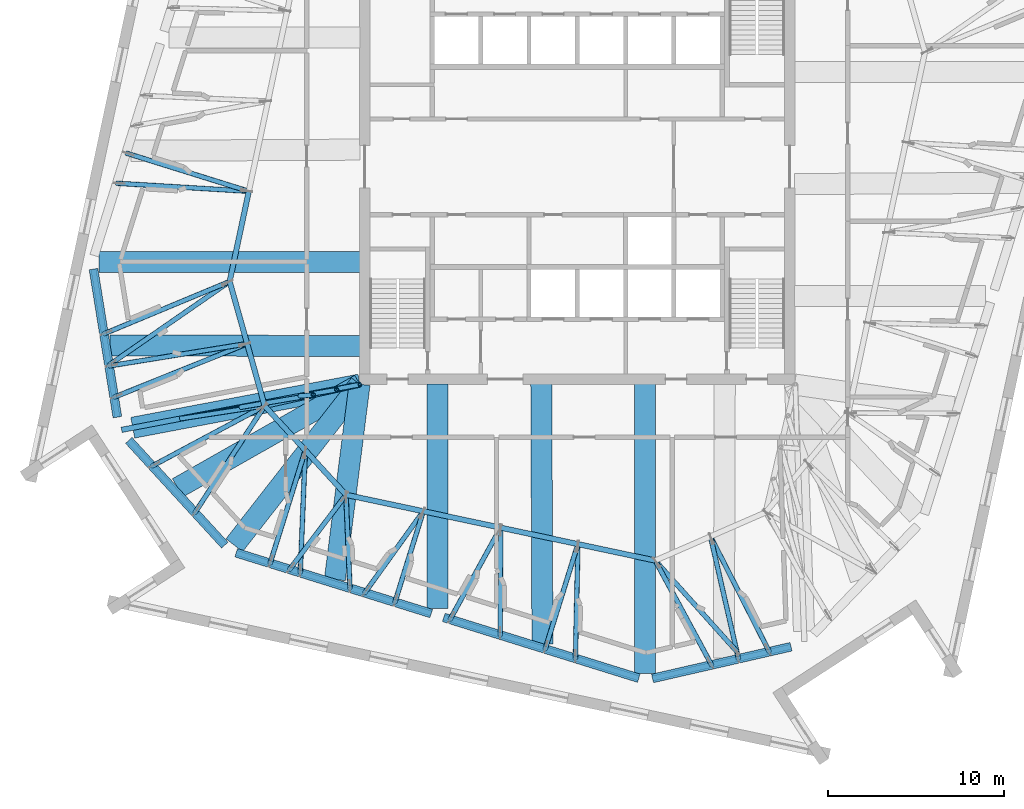
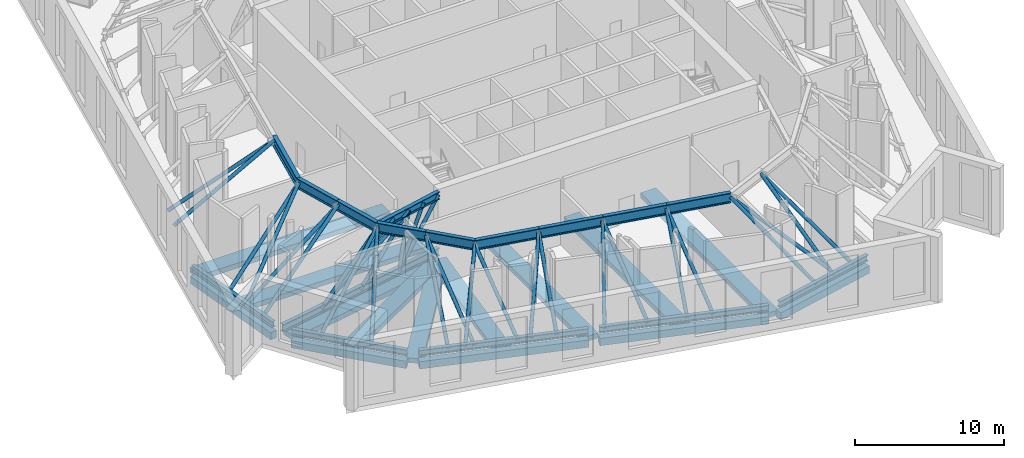
# One storey, part 1 of 19: 30 beams, 29 members.
"""IFC4 building model written with IfcOpenShell, lengths in metres."""

from ifc_helpers import new_model, si_unit, direction, frame, origin, origin_2d, place, context, subcontext, project, spatial, rectangle, hollow_circle, i_section, extrude, material, material_profile, profile_set, type_object, element, save


model = new_model("IFC4")

# Units and contexts
model_context = context("Model", 3, precision=1e-05, world=origin(), true_north=direction((0.0, 1.0)))
body_context = subcontext(model_context, "Body", "Model", "MODEL_VIEW")
ifc_project = project(units=[si_unit("LENGTHUNIT", "METRE"), si_unit("AREAUNIT", "SQUARE_METRE"), si_unit("VOLUMEUNIT", "CUBIC_METRE"), si_unit("PLANEANGLEUNIT", "RADIAN"), si_unit("MASSUNIT", "GRAM", prefix="KILO")], contexts=[model_context])

# Site, building, storey
site_placement = place(None, origin())
site = spatial("IfcSite", under=ifc_project, at=site_placement, CompositionType="ELEMENT")
building_placement = place(site_placement, origin())
building = spatial("IfcBuilding", under=site, at=building_placement, Name="Dilmun Exchange Tower", CompositionType="ELEMENT")
storey_placement = place(building_placement, frame((0.0, 0.0, 344.5)))
storey = spatial("IfcBuildingStorey", under=building, at=storey_placement, Name="L82", CompositionType="ELEMENT", Elevation=344.5)

# Beams
ifc_material_1 = material(Name="Concrete C40/50", Category="concrete")
ifc_material_profile_1 = material_profile(ifc_material_1, rectangle(XDim=1.199951171875, YDim=0.39990234375, at=origin_2d()), Name="1200 x 400")
ifc_profile_set_1 = profile_set([ifc_material_profile_1], Name="Concrete C40/50")
beam_type_1 = type_object("IfcBeamType", Name="RC band beam 1200 x 400 C40/50", PredefinedType="BEAM", material=ifc_profile_set_1)
beam_1_placement = place(storey_placement, frame((-27.216064453125, -5.406005859375, -0.64990234375), z_axis=(1.0, 0.0, 0.0), x_axis=(0.0, 1.0, 0.0)))
element("IfcBeam", 1, at=beam_1_placement, inside=storey, type_object=beam_type_1, Name="Band beam 4", PredefinedType="BEAM", context=body_context, shape_type="SweptSolid", body=[
    extrude(rectangle(XDim=1.199951171875, YDim=0.39990234375, at=origin_2d()), origin(), (0.0, 0.0, 1.0), 14.843017578125),
])
beam_2_placement = place(storey_placement, frame((-25.30712890625, -14.85205078125, -0.64990234375), z_axis=(0.982429348436, 0.18663487169, 0.0), x_axis=(-0.18663487169, 0.982429348436, 0.0)))
element("IfcBeam", 2, at=beam_2_placement, inside=storey, type_object=beam_type_1, Name="Band beam 5", PredefinedType="BEAM", context=body_context, shape_type="SweptSolid", body=[
    extrude(rectangle(XDim=1.199951171875, YDim=0.39990234375, at=origin_2d()), origin(), (0.0, 0.0, 1.0), 13.164794921875),
])
beam_3_placement = place(storey_placement, frame((-19.52685546875, -21.541259765625, -0.64990234375), z_axis=(0.614856714099, 0.788638840743, 0.0), x_axis=(-0.788638840743, 0.614856714099, 0.0)))
element("IfcBeam", 3, at=beam_3_placement, inside=storey, type_object=beam_type_1, Name="Band beam 6", PredefinedType="BEAM", context=body_context, shape_type="SweptSolid", body=[
    extrude(rectangle(XDim=1.199951171875, YDim=0.39990234375, at=origin_2d()), origin(), (0.0, 0.0, 1.0), 11.6181640625),
])
beam_4_placement = place(storey_placement, frame((-7.9580078125, -25.14697265625, -0.64990234375), z_axis=(0.0, 1.0, 0.0), x_axis=(-1.0, 0.0, 0.0)))
element("IfcBeam", 4, at=beam_4_placement, inside=storey, type_object=beam_type_1, Name="Band beam 7", PredefinedType="BEAM", context=body_context, shape_type="SweptSolid", body=[
    extrude(rectangle(XDim=1.199951171875, YDim=0.39990234375, at=origin_2d()), origin(), (0.0, 0.0, 1.0), 12.77392578125),
])
beam_5_placement = place(storey_placement, frame((3.85595703125, -28.827880859375, -0.64990234375), z_axis=(0.0, 1.0, 0.0), x_axis=(-1.0, 0.0, 0.0)))
element("IfcBeam", 5, at=beam_5_placement, inside=storey, type_object=beam_type_1, Name="Band beam 8", PredefinedType="BEAM", context=body_context, shape_type="SweptSolid", body=[
    extrude(rectangle(XDim=1.199951171875, YDim=0.39990234375, at=origin_2d()), origin(), (0.0, 0.0, 1.0), 16.454833984375),
])
beam_6_placement = place(storey_placement, frame((-26.614013671875, -10.1650390625, -0.550048828125), z_axis=(0.999996910379, -0.002485806038, 0.0), x_axis=(0.002485806038, 0.999996910379, 0.0)))
element("IfcBeam", 6, at=beam_6_placement, inside=storey, type_object=beam_type_1, Name="Band beam 20", PredefinedType="BEAM", context=body_context, shape_type="SweptSolid", body=[
    extrude(rectangle(XDim=1.199951171875, YDim=0.39990234375, at=origin_2d()), origin(), (0.0, 0.0, 1.0), 14.240966796875),
])
beam_7_placement = place(storey_placement, frame((-22.752197265625, -18.275390625, -0.550048828125), z_axis=(0.869690188955, 0.493597989496, 0.0), x_axis=(-0.493597989496, 0.869690188955, 0.0)))
element("IfcBeam", 7, at=beam_7_placement, inside=storey, type_object=beam_type_1, Name="Band beam 21", PredefinedType="BEAM", context=body_context, shape_type="SweptSolid", body=[
    extrude(rectangle(XDim=1.199951171875, YDim=0.39990234375, at=origin_2d()), origin(), (0.0, 0.0, 1.0), 11.93017578125),
])
beam_8_placement = place(storey_placement, frame((-13.79931640625, -23.485107421875, -0.550048828125), z_axis=(0.125252659456, 0.992124876867, 0.0), x_axis=(-0.992124876867, 0.125252659456, 0.0)))
element("IfcBeam", 8, at=beam_8_placement, inside=storey, type_object=beam_type_1, Name="Band beam 22", PredefinedType="BEAM", context=body_context, shape_type="SweptSolid", body=[
    extrude(rectangle(XDim=1.199951171875, YDim=0.39990234375, at=origin_2d()), origin(), (0.0, 0.0, 1.0), 11.199951171875),
])
beam_9_placement = place(storey_placement, frame((-1.984619140625, -27.16650390625, -0.550048828125), z_axis=(-0.004488848064, 0.999989925071, 0.0), x_axis=(-0.999989925071, -0.004488848064, 0.0)))
element("IfcBeam", 9, at=beam_9_placement, inside=storey, type_object=beam_type_1, Name="Band beam 23", PredefinedType="BEAM", context=body_context, shape_type="SweptSolid", body=[
    extrude(rectangle(XDim=1.199951171875, YDim=0.39990234375, at=origin_2d()), origin(), (0.0, 0.0, 1.0), 14.793701171875),
])
ifc_material_profile_2 = material_profile(ifc_material_1, rectangle(XDim=0.5, YDim=0.60009765625, at=origin_2d()), Name="500 x 600")
ifc_profile_set_2 = profile_set([ifc_material_profile_2], Name="Concrete C40/50")
beam_type_2 = type_object("IfcBeamType", Name="RC ring beam 500 x 600 C40/50", PredefinedType="SPANDREL", material=ifc_profile_set_2)
beam_10_placement = place(storey_placement, frame((-27.541015625, -5.820556640625, -0.64990234375), z_axis=(0.159356501233, -0.987221102649, 0.0), x_axis=(0.987221102649, 0.159356501233, 0.0)))
element("IfcBeam", 10, at=beam_10_placement, inside=storey, type_object=beam_type_2, Name="Ring beam 4", PredefinedType="SPANDREL", context=body_context, shape_type="SweptSolid", body=[
    extrude(rectangle(XDim=0.5, YDim=0.60009765625, at=origin_2d()), origin(), (0.0, 0.0, 1.0), 8.5380859375),
])
beam_11_placement = place(storey_placement, frame((-25.531005859375, -15.572265625, -0.64990234375), z_axis=(0.675535971399, -0.737327031476, 0.0), x_axis=(0.737327031476, 0.675535971399, 0.0)))
element("IfcBeam", 11, at=beam_11_placement, inside=storey, type_object=beam_type_2, Name="Ring beam 5", PredefinedType="SPANDREL", context=body_context, shape_type="SweptSolid", body=[
    extrude(rectangle(XDim=0.5, YDim=0.60009765625, at=origin_2d()), origin(), (0.0, 0.0, 1.0), 8.087890625),
])
beam_12_placement = place(storey_placement, frame((-19.4169921875, -21.968017578125, -0.64990234375), z_axis=(0.95471613385, -0.297518241065, 0.0), x_axis=(0.297518241065, 0.95471613385, 0.0)))
element("IfcBeam", 12, at=beam_12_placement, inside=storey, type_object=beam_type_2, Name="Ring beam 6", PredefinedType="SPANDREL", context=body_context, shape_type="SweptSolid", body=[
    extrude(rectangle(XDim=0.5, YDim=0.60009765625, at=origin_2d()), origin(), (0.0, 0.0, 1.0), 11.62939453125),
])
beam_13_placement = place(storey_placement, frame((-7.601806640625, -25.64990234375, -0.64990234375), z_axis=(0.954732553331, -0.297465546931, 0.0), x_axis=(0.297465546931, 0.954732553331, 0.0)))
element("IfcBeam", 13, at=beam_13_placement, inside=storey, type_object=beam_type_2, Name="Ring beam 7", PredefinedType="SPANDREL", context=body_context, shape_type="SweptSolid", body=[
    extrude(rectangle(XDim=0.5, YDim=0.60009765625, at=origin_2d()), origin(), (0.0, 0.0, 1.0), 11.628173828125),
])
beam_14_placement = place(storey_placement, frame((4.28076171875, -29.122802734375, -0.64990234375), z_axis=(0.974807153913, 0.223049350324, 0.0), x_axis=(-0.223049350324, 0.974807153913, 0.0)))
element("IfcBeam", 14, at=beam_14_placement, inside=storey, type_object=beam_type_2, Name="Ring beam 8", PredefinedType="SPANDREL", context=body_context, shape_type="SweptSolid", body=[
    extrude(rectangle(XDim=0.5, YDim=0.60009765625, at=origin_2d()), origin(), (0.0, 0.0, 1.0), 8.0888671875),
])
ifc_material_2 = material(Name="Steel S355", Category="steel")
ifc_material_profile_3 = material_profile(ifc_material_2, i_section(OverallWidth=0.300048828125, OverallDepth=0.5, WebThickness=0.014404296875, FlangeThickness=0.028076171875, FilletRadius=0.027099609375, at=origin_2d()), Name="HEB 500")
ifc_profile_set_3 = profile_set([ifc_material_profile_3], Name="Steel S355")
beam_type_3 = type_object("IfcBeamType", Name="belt bottom chord HEB 500", PredefinedType="BEAM", material=ifc_profile_set_3)
beam_15_placement = place(storey_placement, frame((-27.541015625, -5.820556640625, 0.25), z_axis=(0.159356501233, -0.987221102649, 0.0), x_axis=(0.987221102649, 0.159356501233, 0.0)))
element("IfcBeam", 15, at=beam_15_placement, inside=storey, type_object=beam_type_3, Name="Belt bottom chord 4", PredefinedType="BEAM", context=body_context, shape_type="SweptSolid", body=[
    extrude(i_section(OverallWidth=0.300048828125, OverallDepth=0.5, WebThickness=0.014404296875, FlangeThickness=0.028076171875, FilletRadius=0.027099609375, at=origin_2d()), origin(), (0.0, 0.0, 1.0), 8.5380859375),
])
beam_16_placement = place(storey_placement, frame((-25.531005859375, -15.572265625, 0.25), z_axis=(0.675535971399, -0.737327031476, 0.0), x_axis=(0.737327031476, 0.675535971399, 0.0)))
element("IfcBeam", 16, at=beam_16_placement, inside=storey, type_object=beam_type_3, Name="Belt bottom chord 5", PredefinedType="BEAM", context=body_context, shape_type="SweptSolid", body=[
    extrude(i_section(OverallWidth=0.300048828125, OverallDepth=0.5, WebThickness=0.014404296875, FlangeThickness=0.028076171875, FilletRadius=0.027099609375, at=origin_2d()), origin(), (0.0, 0.0, 1.0), 8.087890625),
])
beam_17_placement = place(storey_placement, frame((-19.4169921875, -21.968017578125, 0.25), z_axis=(0.95471613385, -0.297518241065, 0.0), x_axis=(0.297518241065, 0.95471613385, 0.0)))
element("IfcBeam", 17, at=beam_17_placement, inside=storey, type_object=beam_type_3, Name="Belt bottom chord 6", PredefinedType="BEAM", context=body_context, shape_type="SweptSolid", body=[
    extrude(i_section(OverallWidth=0.300048828125, OverallDepth=0.5, WebThickness=0.014404296875, FlangeThickness=0.028076171875, FilletRadius=0.027099609375, at=origin_2d()), origin(), (0.0, 0.0, 1.0), 11.62939453125),
])
beam_18_placement = place(storey_placement, frame((-7.601806640625, -25.64990234375, 0.25), z_axis=(0.954732553331, -0.297465546931, 0.0), x_axis=(0.297465546931, 0.954732553331, 0.0)))
element("IfcBeam", 18, at=beam_18_placement, inside=storey, type_object=beam_type_3, Name="Belt bottom chord 7", PredefinedType="BEAM", context=body_context, shape_type="SweptSolid", body=[
    extrude(i_section(OverallWidth=0.300048828125, OverallDepth=0.5, WebThickness=0.014404296875, FlangeThickness=0.028076171875, FilletRadius=0.027099609375, at=origin_2d()), origin(), (0.0, 0.0, 1.0), 11.628173828125),
])
beam_19_placement = place(storey_placement, frame((4.28076171875, -29.122802734375, 0.25), z_axis=(0.974807153913, 0.223049350324, 0.0), x_axis=(-0.223049350324, 0.974807153913, 0.0)))
element("IfcBeam", 19, at=beam_19_placement, inside=storey, type_object=beam_type_3, Name="Belt bottom chord 8", PredefinedType="BEAM", context=body_context, shape_type="SweptSolid", body=[
    extrude(i_section(OverallWidth=0.300048828125, OverallDepth=0.5, WebThickness=0.014404296875, FlangeThickness=0.028076171875, FilletRadius=0.027099609375, at=origin_2d()), origin(), (0.0, 0.0, 1.0), 8.0888671875),
])
ifc_material_profile_4 = material_profile(ifc_material_2, i_section(OverallWidth=0.304931640625, OverallDepth=0.6201171875, WebThickness=0.02099609375, FlangeThickness=0.0400390625, FilletRadius=0.027099609375, at=origin_2d()), Name="HEM 600")
ifc_profile_set_4 = profile_set([ifc_material_profile_4], Name="Steel S355")
beam_type_4 = type_object("IfcBeamType", Name="outrigger chord HEM 600", PredefinedType="BEAM", material=ifc_profile_set_4)
beam_20_placement = place(storey_placement, frame((-12.37353515625, -12.39501953125, 0.31005859375), z_axis=(-0.982432070287, -0.186620543541, 0.0), x_axis=(0.186620543541, -0.982432070287, 0.0)))
element("IfcBeam", 20, at=beam_20_placement, inside=storey, type_object=beam_type_4, Name="Outrigger bottom chord 2", PredefinedType="BEAM", context=body_context, shape_type="SweptSolid", body=[
    extrude(i_section(OverallWidth=0.304931640625, OverallDepth=0.6201171875, WebThickness=0.02099609375, FlangeThickness=0.0400390625, FilletRadius=0.027099609375, at=origin_2d()), origin(), (0.0, 0.0, 1.0), 13.808349609375),
])
beam_21_placement = place(storey_placement, frame((-12.373779296875, -12.39404296875, 4.889892578125), z_axis=(-0.97589758172, -0.21822903105, 0.0), x_axis=(0.21822903105, -0.97589758172, 0.0)))
element("IfcBeam", 21, at=beam_21_placement, inside=storey, type_object=beam_type_4, Name="Outrigger top chord 2", PredefinedType="BEAM", context=body_context, shape_type="SweptSolid", body=[
    extrude(i_section(OverallWidth=0.304931640625, OverallDepth=0.6201171875, WebThickness=0.02099609375, FlangeThickness=0.0400390625, FilletRadius=0.027099609375, at=origin_2d()), origin(), (0.0, 0.0, 1.0), 5.43359375),
])

# Members
ifc_material_profile_5 = material_profile(ifc_material_2, hollow_circle(Radius=0.136474609375, WallThickness=0.01611328125, at=origin_2d()), Name="CHS 273x16")
ifc_profile_set_5 = profile_set([ifc_material_profile_5], Name="Steel S355")
member_type_1 = type_object("IfcMemberType", Name="outrigger post CHS 273x16", PredefinedType="POST", material=ifc_profile_set_5)
member_1_placement = place(storey_placement, frame((-13.699462890625, -12.6904296875, 4.889892578125), z_axis=(-0.410122483076, -0.069274826042, -0.909395704494), x_axis=(0.166553237626, -0.98603246348, 0.0)))
element("IfcMember", 22, at=member_1_placement, inside=storey, type_object=member_type_1, Name="Outrigger post 2.1", PredefinedType="POST", context=body_context, shape_type="SweptSolid", body=[
    extrude(hollow_circle(Radius=0.136474609375, WallThickness=0.01611328125, at=origin_2d()), origin(), (0.0, 0.0, 1.0), 5.0361328125),
])
member_2_placement = place(storey_placement, frame((-15.025146484375, -12.987060546875, 4.889892578125), z_axis=(-0.665562451159, -0.112218525687, -0.737857456491), x_axis=(0.166260364541, -0.98608188868, 0.0)))
element("IfcMember", 23, at=member_2_placement, inside=storey, type_object=member_type_1, Name="Outrigger post 2.2", PredefinedType="POST", context=body_context, shape_type="SweptSolid", body=[
    extrude(hollow_circle(Radius=0.136474609375, WallThickness=0.01611328125, at=origin_2d()), origin(), (0.0, 0.0, 1.0), 6.20703125),
])
member_3_placement = place(storey_placement, frame((-16.350830078125, -13.283447265625, 4.889892578125), z_axis=(-0.796913340071, -0.134315470366, -0.58897239565), x_axis=(0.166200515367, -0.986091977805, 0.0)))
element("IfcMember", 24, at=member_3_placement, inside=storey, type_object=member_type_1, Name="Outrigger post 2.3", PredefinedType="POST", context=body_context, shape_type="SweptSolid", body=[
    extrude(hollow_circle(Radius=0.136474609375, WallThickness=0.01611328125, at=origin_2d()), origin(), (0.0, 0.0, 1.0), 7.77587890625),
])

# Beams
ifc_material_profile_6 = material_profile(ifc_material_2, i_section(OverallWidth=0.302978515625, OverallDepth=0.81396484375, WebThickness=0.02099609375, FlangeThickness=0.0400390625, FilletRadius=0.030029296875, at=origin_2d()), Name="HEM 800")
ifc_profile_set_6 = profile_set([ifc_material_profile_6], Name="Steel S355")
beam_type_5 = type_object("IfcBeamType", Name="transfer chord HEM 800", PredefinedType="BEAM", material=ifc_profile_set_6)
beam_22_placement = place(storey_placement, frame((-18.698486328125, -1.39306640625, 4.89306640625), z_axis=(-0.207924943103, -0.97814478378, 0.0), x_axis=(0.97814478378, -0.207924943103, 0.0)))
element("IfcBeam", 25, at=beam_22_placement, inside=storey, type_object=beam_type_5, Name="Transfer chord 6", PredefinedType="BEAM", context=body_context, shape_type="SweptSolid", body=[
    extrude(i_section(OverallWidth=0.302978515625, OverallDepth=0.81396484375, WebThickness=0.02099609375, FlangeThickness=0.0400390625, FilletRadius=0.030029296875, at=origin_2d()), origin(), (0.0, 0.0, 1.0), 5.249755859375),
])
beam_23_placement = place(storey_placement, frame((-19.7900390625, -6.528076171875, 4.89306640625), z_axis=(0.27091286531, -0.962603874608, 0.0), x_axis=(0.962603874608, 0.27091286531, 0.0)))
element("IfcBeam", 26, at=beam_23_placement, inside=storey, type_object=beam_type_5, Name="Transfer chord 7", PredefinedType="BEAM", context=body_context, shape_type="SweptSolid", body=[
    extrude(i_section(OverallWidth=0.302978515625, OverallDepth=0.81396484375, WebThickness=0.02099609375, FlangeThickness=0.0400390625, FilletRadius=0.030029296875, at=origin_2d()), origin(), (0.0, 0.0, 1.0), 3.6767578125),
])
beam_24_placement = place(storey_placement, frame((-18.7939453125, -10.0673828125, 4.89306640625), z_axis=(0.270834025208, -0.962626059688, 0.0), x_axis=(0.962626059688, 0.270834025208, 0.0)))
element("IfcBeam", 27, at=beam_24_placement, inside=storey, type_object=beam_type_5, Name="Transfer chord 8", PredefinedType="BEAM", context=body_context, shape_type="SweptSolid", body=[
    extrude(i_section(OverallWidth=0.302978515625, OverallDepth=0.81396484375, WebThickness=0.02099609375, FlangeThickness=0.0400390625, FilletRadius=0.030029296875, at=origin_2d()), origin(), (0.0, 0.0, 1.0), 3.677001953125),
])
beam_25_placement = place(storey_placement, frame((-17.798095703125, -13.60693359375, 4.89306640625), z_axis=(0.674799105292, -0.738001468492, 0.0), x_axis=(0.738001468492, 0.674799105292, 0.0)))
element("IfcBeam", 28, at=beam_25_placement, inside=storey, type_object=beam_type_5, Name="Transfer chord 9", PredefinedType="BEAM", context=body_context, shape_type="SweptSolid", body=[
    extrude(i_section(OverallWidth=0.302978515625, OverallDepth=0.81396484375, WebThickness=0.02099609375, FlangeThickness=0.0400390625, FilletRadius=0.030029296875, at=origin_2d()), origin(), (0.0, 0.0, 1.0), 3.43017578125),
])
beam_26_placement = place(storey_placement, frame((-15.4833984375, -16.138427734375, 4.89306640625), z_axis=(0.674760337944, -0.738036913939, 0.0), x_axis=(0.738036913939, 0.674760337944, 0.0)))
element("IfcBeam", 29, at=beam_26_placement, inside=storey, type_object=beam_type_5, Name="Transfer chord 10", PredefinedType="BEAM", context=body_context, shape_type="SweptSolid", body=[
    extrude(i_section(OverallWidth=0.302978515625, OverallDepth=0.81396484375, WebThickness=0.02099609375, FlangeThickness=0.0400390625, FilletRadius=0.030029296875, at=origin_2d()), origin(), (0.0, 0.0, 1.0), 3.429931640625),
])
beam_27_placement = place(storey_placement, frame((-13.1689453125, -18.669921875, 4.89306640625), z_axis=(0.978147266328, -0.207913264065, 0.0), x_axis=(0.207913264065, 0.978147266328, 0.0)))
element("IfcBeam", 30, at=beam_27_placement, inside=storey, type_object=beam_type_5, Name="Transfer chord 11", PredefinedType="BEAM", context=body_context, shape_type="SweptSolid", body=[
    extrude(i_section(OverallWidth=0.302978515625, OverallDepth=0.81396484375, WebThickness=0.02099609375, FlangeThickness=0.0400390625, FilletRadius=0.030029296875, at=origin_2d()), origin(), (0.0, 0.0, 1.0), 4.499755859375),
])
beam_28_placement = place(storey_placement, frame((-8.767578125, -19.60546875, 4.89306640625), z_axis=(0.978149611564, -0.20790223038, 0.0), x_axis=(0.20790223038, 0.978149611564, 0.0)))
element("IfcBeam", 31, at=beam_28_placement, inside=storey, type_object=beam_type_5, Name="Transfer chord 12", PredefinedType="BEAM", context=body_context, shape_type="SweptSolid", body=[
    extrude(i_section(OverallWidth=0.302978515625, OverallDepth=0.81396484375, WebThickness=0.02099609375, FlangeThickness=0.0400390625, FilletRadius=0.030029296875, at=origin_2d()), origin(), (0.0, 0.0, 1.0), 4.5),
])
beam_29_placement = place(storey_placement, frame((-4.365966796875, -20.541015625, 4.89306640625), z_axis=(0.978147266328, -0.207913264065, 0.0), x_axis=(0.207913264065, 0.978147266328, 0.0)))
element("IfcBeam", 32, at=beam_29_placement, inside=storey, type_object=beam_type_5, Name="Transfer chord 13", PredefinedType="BEAM", context=body_context, shape_type="SweptSolid", body=[
    extrude(i_section(OverallWidth=0.302978515625, OverallDepth=0.81396484375, WebThickness=0.02099609375, FlangeThickness=0.0400390625, FilletRadius=0.030029296875, at=origin_2d()), origin(), (0.0, 0.0, 1.0), 4.499755859375),
])
beam_30_placement = place(storey_placement, frame((0.035400390625, -21.4765625, 4.89306640625), z_axis=(0.978149611564, -0.20790223038, 0.0), x_axis=(0.20790223038, 0.978149611564, 0.0)))
element("IfcBeam", 33, at=beam_30_placement, inside=storey, type_object=beam_type_5, Name="Transfer chord 14", PredefinedType="BEAM", context=body_context, shape_type="SweptSolid", body=[
    extrude(i_section(OverallWidth=0.302978515625, OverallDepth=0.81396484375, WebThickness=0.02099609375, FlangeThickness=0.0400390625, FilletRadius=0.030029296875, at=origin_2d()), origin(), (0.0, 0.0, 1.0), 4.5),
])

# Members
ifc_material_profile_7 = material_profile(ifc_material_2, hollow_circle(Radius=0.136474609375, WallThickness=0.01611328125, at=origin_2d()), Name="CHS 273x16")
ifc_profile_set_7 = profile_set([ifc_material_profile_7], Name="Steel S355")
member_type_2 = type_object("IfcMemberType", Name="truss diagonal CHS 273x16", PredefinedType="BRACE", material=ifc_profile_set_7)
member_4_placement = place(storey_placement, frame((-18.698486328125, -1.39306640625, 4.89306640625), z_axis=(-0.805968182599, 0.251162177833, -0.536034373025), x_axis=(-0.297516372053, -0.954716716288, 0.0)))
element("IfcMember", 34, at=member_4_placement, inside=storey, type_object=member_type_2, Name="Truss diagonal 11", PredefinedType="BRACE", context=body_context, shape_type="SweptSolid", body=[
    extrude(hollow_circle(Radius=0.136474609375, WallThickness=0.01611328125, at=origin_2d()), origin(), (0.0, 0.0, 1.0), 8.661865234375),
])
member_5_placement = place(storey_placement, frame((-18.698486328125, -1.39306640625, 4.89306640625), z_axis=(-0.849638705296, 0.051660505922, -0.524828793599), x_axis=(-0.060690826914, -0.998156612726, 0.0)))
element("IfcMember", 35, at=member_5_placement, inside=storey, type_object=member_type_2, Name="Truss diagonal 12", PredefinedType="BRACE", context=body_context, shape_type="SweptSolid", body=[
    extrude(hollow_circle(Radius=0.136474609375, WallThickness=0.01611328125, at=origin_2d()), origin(), (0.0, 0.0, 1.0), 8.846923828125),
])
member_6_placement = place(storey_placement, frame((-19.7900390625, -6.528076171875, 4.89306640625), z_axis=(-0.79199857564, -0.329650391417, -0.513876323275), x_axis=(0.38426869934, -0.923221298881, 0.0)))
element("IfcMember", 36, at=member_6_placement, inside=storey, type_object=member_type_2, Name="Truss diagonal 13", PredefinedType="BRACE", context=body_context, shape_type="SweptSolid", body=[
    extrude(hollow_circle(Radius=0.136474609375, WallThickness=0.01611328125, at=origin_2d()), origin(), (0.0, 0.0, 1.0), 9.035400390625),
])
member_7_placement = place(storey_placement, frame((-19.7900390625, -6.528076171875, 4.89306640625), z_axis=(-0.71867440006, -0.497524167059, -0.48577444343), x_axis=(0.569194783062, -0.822202711584, 0.0)))
element("IfcMember", 37, at=member_7_placement, inside=storey, type_object=member_type_2, Name="Truss diagonal 14", PredefinedType="BRACE", context=body_context, shape_type="SweptSolid", body=[
    extrude(hollow_circle(Radius=0.136474609375, WallThickness=0.01611328125, at=origin_2d()), origin(), (0.0, 0.0, 1.0), 9.55810546875),
])
member_8_placement = place(storey_placement, frame((-18.7939453125, -10.0673828125, 4.89306640625), z_axis=(-0.852708237542, -0.137653251733, -0.50392483955), x_axis=(0.159367466298, -0.987219332613, 0.0)))
element("IfcMember", 38, at=member_8_placement, inside=storey, type_object=member_type_2, Name="Truss diagonal 15", PredefinedType="BRACE", context=body_context, shape_type="SweptSolid", body=[
    extrude(hollow_circle(Radius=0.136474609375, WallThickness=0.01611328125, at=origin_2d()), origin(), (0.0, 0.0, 1.0), 9.2138671875),
])
member_9_placement = place(storey_placement, frame((-18.7939453125, -10.0673828125, 4.89306640625), z_axis=(-0.806328509726, -0.324393402255, -0.494573811455), x_axis=(0.373236800674, -0.927736110445, 0.0)))
element("IfcMember", 39, at=member_9_placement, inside=storey, type_object=member_type_2, Name="Truss diagonal 16", PredefinedType="BRACE", context=body_context, shape_type="SweptSolid", body=[
    extrude(hollow_circle(Radius=0.136474609375, WallThickness=0.01611328125, at=origin_2d()), origin(), (0.0, 0.0, 1.0), 9.387939453125),
])
member_10_placement = place(storey_placement, frame((-17.798095703125, -13.60693359375, 4.89306640625), z_axis=(-0.460476484244, -0.705310085142, -0.538979676105), x_axis=(0.837343427491, -0.546677221436, 0.0)))
element("IfcMember", 40, at=member_10_placement, inside=storey, type_object=member_type_2, Name="Truss diagonal 17", PredefinedType="BRACE", context=body_context, shape_type="SweptSolid", body=[
    extrude(hollow_circle(Radius=0.136474609375, WallThickness=0.01611328125, at=origin_2d()), origin(), (0.0, 0.0, 1.0), 8.614501953125),
])
member_11_placement = place(storey_placement, frame((-17.798095703125, -13.60693359375, 4.89306640625), z_axis=(-0.742797395206, -0.397188305754, -0.538974470127), x_axis=(0.471539694424, -0.881844837022, 0.0)))
element("IfcMember", 41, at=member_11_placement, inside=storey, type_object=member_type_2, Name="Truss diagonal 18", PredefinedType="BRACE", context=body_context, shape_type="SweptSolid", body=[
    extrude(hollow_circle(Radius=0.136474609375, WallThickness=0.01611328125, at=origin_2d()), origin(), (0.0, 0.0, 1.0), 8.61474609375),
])
member_12_placement = place(storey_placement, frame((-15.4833984375, -16.138427734375, 4.89306640625), z_axis=(-0.244977376502, -0.786052393355, -0.567545346121), x_axis=(0.954709293768, -0.297540189542, 0.0)))
element("IfcMember", 42, at=member_12_placement, inside=storey, type_object=member_type_2, Name="Truss diagonal 19", PredefinedType="BRACE", context=body_context, shape_type="SweptSolid", body=[
    extrude(hollow_circle(Radius=0.136474609375, WallThickness=0.01611328125, at=origin_2d()), origin(), (0.0, 0.0, 1.0), 8.180908203125),
])
member_13_placement = place(storey_placement, frame((-15.4833984375, -16.138427734375, 4.89306640625), z_axis=(-0.034099885264, -0.83162916763, -0.554283434149), x_axis=(0.999160406245, -0.040969288404, 0.0)))
element("IfcMember", 43, at=member_13_placement, inside=storey, type_object=member_type_2, Name="Truss diagonal 20", PredefinedType="BRACE", context=body_context, shape_type="SweptSolid", body=[
    extrude(hollow_circle(Radius=0.136474609375, WallThickness=0.01611328125, at=origin_2d()), origin(), (0.0, 0.0, 1.0), 8.376708984375),
])
for number, where, z_axis, x_axis, name in (
    (44, (-13.1689453125, -18.669921875, 4.89306640625), (0.032357636768, -0.752799036599, -0.657454632533), (0.999077504597, 0.042943448949, 0.0), "Truss diagonal 21"),
    (45, (-13.1689453125, -18.669921875, 4.89306640625), (-0.45428792858, -0.601142438937, -0.65745741007), (0.79780896405, -0.602910322421, 0.0), "Truss diagonal 22"),
):
    element("IfcMember", number, at=place(storey_placement, frame(where, z_axis=z_axis, x_axis=x_axis)), inside=storey, type_object=member_type_2, Name=name, PredefinedType="BRACE", context=body_context, shape_type="SweptSolid", body=[
        extrude(hollow_circle(Radius=0.136474609375, WallThickness=0.01611328125, at=origin_2d()), origin(), (0.0, 0.0, 1.0), 7.062255859375),
    ])
member_14_placement = place(storey_placement, frame((-8.767578125, -19.60546875, 4.89306640625), z_axis=(-0.226025440348, -0.725264688318, -0.650310412184), x_axis=(0.954711958778, -0.297531638261, 0.0)))
element("IfcMember", 46, at=member_14_placement, inside=storey, type_object=member_type_2, Name="Truss diagonal 23", PredefinedType="BRACE", context=body_context, shape_type="SweptSolid", body=[
    extrude(hollow_circle(Radius=0.136474609375, WallThickness=0.01611328125, at=origin_2d()), origin(), (0.0, 0.0, 1.0), 7.1396484375),
])
member_15_placement = place(storey_placement, frame((-8.767578125, -19.60546875, 4.89306640625), z_axis=(-0.452526630665, -0.630546522228, -0.63057967922), x_axis=(0.812429587302, -0.583059315744, 0.0)))
element("IfcMember", 47, at=member_15_placement, inside=storey, type_object=member_type_2, Name="Truss diagonal 24", PredefinedType="BRACE", context=body_context, shape_type="SweptSolid", body=[
    extrude(hollow_circle(Radius=0.136474609375, WallThickness=0.01611328125, at=origin_2d()), origin(), (0.0, 0.0, 1.0), 7.36328125),
])
member_16_placement = place(storey_placement, frame((-4.365966796875, -20.541015625, 4.89306640625), z_axis=(-0.380631532568, -0.691017483488, -0.614503436873), x_axis=(0.875909614549, -0.482475229561, 0.0)))
element("IfcMember", 48, at=member_16_placement, inside=storey, type_object=member_type_2, Name="Truss diagonal 25", PredefinedType="BRACE", context=body_context, shape_type="SweptSolid", body=[
    extrude(hollow_circle(Radius=0.136474609375, WallThickness=0.01611328125, at=origin_2d()), origin(), (0.0, 0.0, 1.0), 7.555908203125),
])
member_17_placement = place(storey_placement, frame((-4.365966796875, -20.541015625, 4.89306640625), z_axis=(-0.002449335314, -0.796256643878, -0.604954012994), x_axis=(0.999995268953, -0.003076048087, 0.0)))
element("IfcMember", 49, at=member_17_placement, inside=storey, type_object=member_type_2, Name="Truss diagonal 26", PredefinedType="BRACE", context=body_context, shape_type="SweptSolid", body=[
    extrude(hollow_circle(Radius=0.136474609375, WallThickness=0.01611328125, at=origin_2d()), origin(), (0.0, 0.0, 1.0), 7.675048828125),
])
member_18_placement = place(storey_placement, frame((0.035400390625, -21.4765625, 4.89306640625), z_axis=(-0.238875204763, -0.76666938997, -0.595950235365), x_axis=(0.954730995733, -0.297470546083, 0.0)))
element("IfcMember", 50, at=member_18_placement, inside=storey, type_object=member_type_2, Name="Truss diagonal 27", PredefinedType="BRACE", context=body_context, shape_type="SweptSolid", body=[
    extrude(hollow_circle(Radius=0.136474609375, WallThickness=0.01611328125, at=origin_2d()), origin(), (0.0, 0.0, 1.0), 7.791015625),
])
member_19_placement = place(storey_placement, frame((0.035400390625, -21.4765625, 4.89306640625), z_axis=(-0.017830688272, -0.813952600408, -0.580657584851), x_axis=(0.999760143377, -0.02190104369, 0.0)))
element("IfcMember", 51, at=member_19_placement, inside=storey, type_object=member_type_2, Name="Truss diagonal 28", PredefinedType="BRACE", context=body_context, shape_type="SweptSolid", body=[
    extrude(hollow_circle(Radius=0.136474609375, WallThickness=0.01611328125, at=origin_2d()), origin(), (0.0, 0.0, 1.0), 7.996337890625),
])
member_20_placement = place(storey_placement, frame((4.43701171875, -22.412109375, 4.89306640625), z_axis=(0.391281614089, -0.72511646059, -0.566661113063), x_axis=(0.880048081276, 0.474884590866, 0.0)))
element("IfcMember", 52, at=member_20_placement, inside=storey, type_object=member_type_2, Name="Truss diagonal 29", PredefinedType="BRACE", context=body_context, shape_type="SweptSolid", body=[
    extrude(hollow_circle(Radius=0.136474609375, WallThickness=0.01611328125, at=origin_2d()), origin(), (0.0, 0.0, 1.0), 8.19384765625),
])
member_21_placement = place(storey_placement, frame((4.43701171875, -22.412109375, 4.89306640625), z_axis=(0.565261025656, -0.630568055177, -0.531849509415), x_axis=(0.744613958315, 0.667495358098, 0.0)))
element("IfcMember", 53, at=member_21_placement, inside=storey, type_object=member_type_2, Name="Truss diagonal 30", PredefinedType="BRACE", context=body_context, shape_type="SweptSolid", body=[
    extrude(hollow_circle(Radius=0.136474609375, WallThickness=0.01611328125, at=origin_2d()), origin(), (0.0, 0.0, 1.0), 8.213134765625),
])
member_22_placement = place(storey_placement, frame((7.5810546875, -21.041015625, 4.89306640625), z_axis=(0.187003499629, -0.817284107115, -0.545047135011), x_axis=(0.97480777641, 0.223046629767, 0.0)))
element("IfcMember", 54, at=member_22_placement, inside=storey, type_object=member_type_2, Name="Truss diagonal 31", PredefinedType="BRACE", context=body_context, shape_type="SweptSolid", body=[
    extrude(hollow_circle(Radius=0.136474609375, WallThickness=0.01611328125, at=origin_2d()), origin(), (0.0, 0.0, 1.0), 8.5185546875),
])
member_23_placement = place(storey_placement, frame((7.5810546875, -21.041015625, 4.89306640625), z_axis=(0.38448633712, -0.753522559615, -0.533267295752), x_axis=(0.890744616699, 0.454504156, 0.0)))
element("IfcMember", 55, at=member_23_placement, inside=storey, type_object=member_type_2, Name="Truss diagonal 32", PredefinedType="BRACE", context=body_context, shape_type="SweptSolid", body=[
    extrude(hollow_circle(Radius=0.136474609375, WallThickness=0.01611328125, at=origin_2d()), origin(), (0.0, 0.0, 1.0), 8.706787109375),
])
member_24_placement = place(storey_placement, frame((-12.373779296875, -12.39404296875, 4.889892578125), z_axis=(-0.591295344887, -0.11251213798, -0.798567989542), x_axis=(0.186926857005, -0.982373834205, 0.0)))
element("IfcMember", 56, at=member_24_placement, inside=storey, type_object=member_type_2, Name="Outrigger diagonal 2.0", PredefinedType="BRACE", context=body_context, shape_type="SweptSolid", body=[
    extrude(hollow_circle(Radius=0.136474609375, WallThickness=0.01611328125, at=origin_2d()), origin(), (0.0, 0.0, 1.0), 5.735107421875),
])
member_25_placement = place(storey_placement, frame((-15.025146484375, -12.987060546875, 4.889892578125), z_axis=(-0.159445689374, -0.011261180702, -0.987142470948), x_axis=(0.07045156866, -0.997515201124, 0.0)))
element("IfcMember", 57, at=member_25_placement, inside=storey, type_object=member_type_2, Name="Outrigger diagonal 2.1", PredefinedType="BRACE", context=body_context, shape_type="SweptSolid", body=[
    extrude(hollow_circle(Radius=0.136474609375, WallThickness=0.01611328125, at=origin_2d()), origin(), (0.0, 0.0, 1.0), 4.639404296875),
])
member_26_placement = place(storey_placement, frame((-15.025146484375, -12.987060546875, 4.889892578125), z_axis=(-0.844420651904, -0.150511431269, -0.514101227089), x_axis=(0.175476566773, -0.984483608047, 0.0)))
element("IfcMember", 58, at=member_26_placement, inside=storey, type_object=member_type_2, Name="Outrigger diagonal 2.2", PredefinedType="BRACE", context=body_context, shape_type="SweptSolid", body=[
    extrude(hollow_circle(Radius=0.136474609375, WallThickness=0.01611328125, at=origin_2d()), origin(), (0.0, 0.0, 1.0), 8.908447265625),
])
member_27_placement = place(storey_placement, frame((-17.676513671875, -13.579833984375, 4.889892578125), z_axis=(-0.72403503358, -0.111189020794, -0.680742441606), x_axis=(0.151789149708, -0.988412896532, 0.0)))
element("IfcMember", 59, at=member_27_placement, inside=storey, type_object=member_type_2, Name="Outrigger diagonal 2.3", PredefinedType="BRACE", context=body_context, shape_type="SweptSolid", body=[
    extrude(hollow_circle(Radius=0.136474609375, WallThickness=0.01611328125, at=origin_2d()), origin(), (0.0, 0.0, 1.0), 6.727783203125),
])

save(model, "model.ifc")
